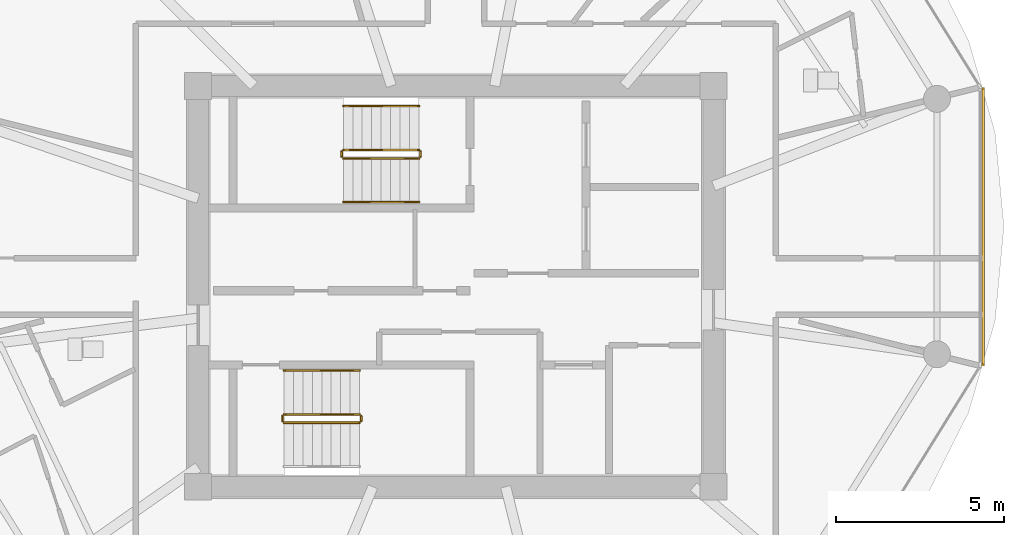
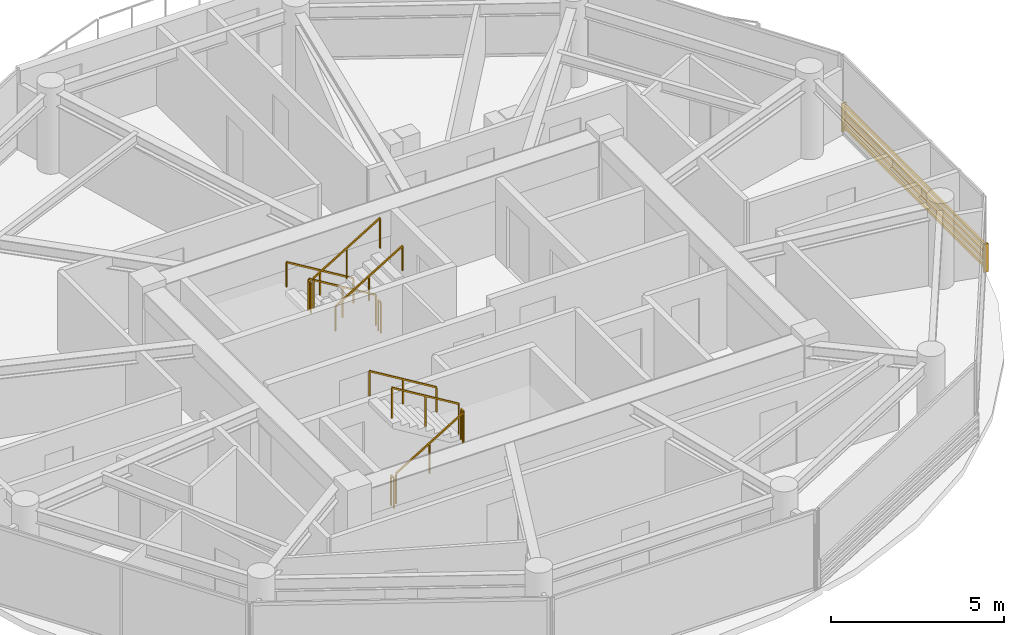
# One storey, part 21 of 23: 11 railings, 1 shading device.
"""IFC4 building model written with IfcOpenShell, lengths in metres."""

from ifc_helpers import new_model, si_unit, direction, frame, origin, origin_2d, place, context, subcontext, project, spatial, rectangle, extrude, source, transform, mapped, material, type_object, type_shapes, element, save


model = new_model("IFC4")

# Units and contexts
model_context = context("Model", 3, precision=1e-05, world=origin(), true_north=direction((0.0, 1.0)))
body_context = subcontext(model_context, "Body", "Model", "MODEL_VIEW")
ifc_project = project(units=[si_unit("LENGTHUNIT", "METRE"), si_unit("AREAUNIT", "SQUARE_METRE"), si_unit("VOLUMEUNIT", "CUBIC_METRE"), si_unit("PLANEANGLEUNIT", "RADIAN"), si_unit("MASSUNIT", "GRAM", prefix="KILO")], contexts=[model_context])

# Site, building, storey
site_placement = place(None, origin())
site = spatial("IfcSite", under=ifc_project, at=site_placement, CompositionType="ELEMENT")
building_placement = place(site_placement, origin())
building = spatial("IfcBuilding", under=site, at=building_placement, Name="Norrkilde Senior Care Towers", CompositionType="ELEMENT")
storey_placement = place(building_placement, frame((0.0, 0.0, 177.0)))
storey = spatial("IfcBuildingStorey", under=building, at=storey_placement, Name="L55", CompositionType="ELEMENT", Elevation=177.0)

# Railings
ifc_material_1 = material(Name="Stainless Steel", Category="steel")
railing_type_1 = type_object("IfcRailingType", Name="Stair and Terrace Guardrail 1100", PredefinedType="GUARDRAIL", material=ifc_material_1)
railing_1_placement = place(storey_placement, frame((26.89990234375, 4.050048828125, 0.16943359375)))
element("IfcRailing", 1, at=railing_1_placement, inside=storey, type_object=railing_type_1, Name="L55 ST-E1 stair guard 1", PredefinedType="GUARDRAIL", context=body_context, shape_type="SweptSolid", body=[
    extrude(rectangle(XDim=0.048095703125, YDim=0.048095703125, at=origin_2d()), frame((0.0, 0.0, 1.076171875), z_axis=(-0.855553338991, 0.0, 0.51771467445), x_axis=(0.0, -1.0, 0.0)), (0.0, 0.0, 1.0), 2.6181640625),
    extrude(rectangle(XDim=0.0419921875, YDim=0.0419921875, at=origin_2d()), origin(), (0.0, 0.0, 1.0), 1.050048828125),
    extrude(rectangle(XDim=0.0419921875, YDim=0.0419921875, at=origin_2d()), frame((-1.1201171875, 0.0, 0.677734375)), (0.0, 0.0, 1.0), 1.050048828125),
    extrude(rectangle(XDim=0.0419921875, YDim=0.0419921875, at=origin_2d()), frame((-2.239990234375, 0.0, 1.35546875)), (0.0, 0.0, 1.0), 1.050048828125),
])
railing_2_placement = place(storey_placement, frame((24.610107421875, 4.0, 1.52490234375)))
element("IfcRailing", 2, at=railing_2_placement, inside=storey, type_object=railing_type_1, Name="L55 ST-E1 stair guard 2", PredefinedType="GUARDRAIL", context=body_context, shape_type="SweptSolid", body=[
    extrude(rectangle(XDim=0.048095703125, YDim=0.048095703125, at=origin_2d()), frame((0.0, 0.0, 1.076171875), z_axis=(0.0, -1.0, 0.0), x_axis=(1.0, 0.0, 0.0)), (0.0, 0.0, 1.0), 0.14990234375),
    extrude(rectangle(XDim=0.0419921875, YDim=0.0419921875, at=origin_2d()), origin(), (0.0, 0.0, 1.0), 1.050048828125),
    extrude(rectangle(XDim=0.0419921875, YDim=0.0419921875, at=origin_2d()), frame((0.0, -0.14990234375, 0.0)), (0.0, 0.0, 1.0), 1.050048828125),
])
railing_3_placement = place(storey_placement, frame((24.659912109375, 3.800048828125, 1.6943359375)))
element("IfcRailing", 3, at=railing_3_placement, inside=storey, type_object=railing_type_1, Name="L55 ST-E1 stair guard 3", PredefinedType="GUARDRAIL", context=body_context, shape_type="SweptSolid", body=[
    extrude(rectangle(XDim=0.048095703125, YDim=0.048095703125, at=origin_2d()), frame((0.0, 0.0, 1.076171875), z_axis=(0.855512035549, 0.0, 0.517782924622), x_axis=(0.0, 1.0, 0.0)), (0.0, 0.0, 1.0), 2.618408203125),
    extrude(rectangle(XDim=0.0419921875, YDim=0.0419921875, at=origin_2d()), origin(), (0.0, 0.0, 1.0), 1.050048828125),
    extrude(rectangle(XDim=0.0419921875, YDim=0.0419921875, at=origin_2d()), frame((1.1201171875, 0.0, 0.677734375)), (0.0, 0.0, 1.0), 1.050048828125),
    extrude(rectangle(XDim=0.0419921875, YDim=0.0419921875, at=origin_2d()), frame((2.239990234375, 0.0, 1.355712890625)), (0.0, 0.0, 1.0), 1.050048828125),
])
railing_4_placement = place(storey_placement, frame((26.949951171875, 4.0, 0.0)))
element("IfcRailing", 4, at=railing_4_placement, inside=storey, type_object=railing_type_1, Name="L55 ST-E1 stair guard 4", PredefinedType="GUARDRAIL", context=body_context, shape_type="SweptSolid", body=[
    extrude(rectangle(XDim=0.048095703125, YDim=0.048095703125, at=origin_2d()), frame((0.0, 0.0, 1.076171875), z_axis=(0.0, -1.0, 0.0), x_axis=(1.0, 0.0, 0.0)), (0.0, 0.0, 1.0), 0.14990234375),
    extrude(rectangle(XDim=0.0419921875, YDim=0.0419921875, at=origin_2d()), origin(), (0.0, 0.0, 1.0), 1.050048828125),
    extrude(rectangle(XDim=0.0419921875, YDim=0.0419921875, at=origin_2d()), frame((0.0, -0.14990234375, 0.0)), (0.0, 0.0, 1.0), 1.050048828125),
])
railing_5_placement = place(storey_placement, frame((22.89990234375, -4.050048828125, 0.16943359375)))
element("IfcRailing", 5, at=railing_5_placement, inside=storey, type_object=railing_type_1, Name="L55 ST-E2 stair guard 1", PredefinedType="GUARDRAIL", context=body_context, shape_type="SweptSolid", body=[
    extrude(rectangle(XDim=0.048095703125, YDim=0.048095703125, at=origin_2d()), frame((0.0, 0.0, 1.076171875), z_axis=(0.855553338991, 0.0, 0.51771467445), x_axis=(0.0, 1.0, 0.0)), (0.0, 0.0, 1.0), 2.6181640625),
    extrude(rectangle(XDim=0.0419921875, YDim=0.0419921875, at=origin_2d()), origin(), (0.0, 0.0, 1.0), 1.050048828125),
    extrude(rectangle(XDim=0.0419921875, YDim=0.0419921875, at=origin_2d()), frame((1.1201171875, 0.0, 0.677734375)), (0.0, 0.0, 1.0), 1.050048828125),
    extrude(rectangle(XDim=0.0419921875, YDim=0.0419921875, at=origin_2d()), frame((2.239990234375, 0.0, 1.35546875)), (0.0, 0.0, 1.0), 1.050048828125),
])
railing_6_placement = place(storey_placement, frame((25.18994140625, -4.0, 1.52490234375)))
element("IfcRailing", 6, at=railing_6_placement, inside=storey, type_object=railing_type_1, Name="L55 ST-E2 stair guard 2", PredefinedType="GUARDRAIL", context=body_context, shape_type="SweptSolid", body=[
    extrude(rectangle(XDim=0.048095703125, YDim=0.048095703125, at=origin_2d()), frame((0.0, 0.0, 1.076171875), z_axis=(0.0, 1.0, 0.0), x_axis=(-1.0, 0.0, 0.0)), (0.0, 0.0, 1.0), 0.14990234375),
    extrude(rectangle(XDim=0.0419921875, YDim=0.0419921875, at=origin_2d()), origin(), (0.0, 0.0, 1.0), 1.050048828125),
    extrude(rectangle(XDim=0.0419921875, YDim=0.0419921875, at=origin_2d()), frame((0.0, 0.14990234375, 0.0)), (0.0, 0.0, 1.0), 1.050048828125),
])
railing_7_placement = place(storey_placement, frame((25.139892578125, -3.800048828125, 1.6943359375)))
element("IfcRailing", 7, at=railing_7_placement, inside=storey, type_object=railing_type_1, Name="L55 ST-E2 stair guard 3", PredefinedType="GUARDRAIL", context=body_context, shape_type="SweptSolid", body=[
    extrude(rectangle(XDim=0.048095703125, YDim=0.048095703125, at=origin_2d()), frame((0.0, 0.0, 1.076171875), z_axis=(-0.855512035549, 0.0, 0.517782924622), x_axis=(0.0, -1.0, 0.0)), (0.0, 0.0, 1.0), 2.618408203125),
    extrude(rectangle(XDim=0.0419921875, YDim=0.0419921875, at=origin_2d()), origin(), (0.0, 0.0, 1.0), 1.050048828125),
    extrude(rectangle(XDim=0.0419921875, YDim=0.0419921875, at=origin_2d()), frame((-1.1201171875, 0.0, 0.677734375)), (0.0, 0.0, 1.0), 1.050048828125),
    extrude(rectangle(XDim=0.0419921875, YDim=0.0419921875, at=origin_2d()), frame((-2.239990234375, 0.0, 1.355712890625)), (0.0, 0.0, 1.0), 1.050048828125),
])
railing_8_placement = place(storey_placement, frame((22.85009765625, -4.0, 0.0)))
element("IfcRailing", 8, at=railing_8_placement, inside=storey, type_object=railing_type_1, Name="L55 ST-E2 stair guard 4", PredefinedType="GUARDRAIL", context=body_context, shape_type="SweptSolid", body=[
    extrude(rectangle(XDim=0.048095703125, YDim=0.048095703125, at=origin_2d()), frame((0.0, 0.0, 1.076171875), z_axis=(0.0, 1.0, 0.0), x_axis=(-1.0, 0.0, 0.0)), (0.0, 0.0, 1.0), 0.14990234375),
    extrude(rectangle(XDim=0.0419921875, YDim=0.0419921875, at=origin_2d()), origin(), (0.0, 0.0, 1.0), 1.050048828125),
    extrude(rectangle(XDim=0.0419921875, YDim=0.0419921875, at=origin_2d()), frame((0.0, 0.14990234375, 0.0)), (0.0, 0.0, 1.0), 1.050048828125),
])
ifc_material_2 = material(Name="Nordic Ash Timber", Category="wood")
railing_type_2 = type_object("IfcRailingType", Name="Wall and Stair Handrail 900", PredefinedType="HANDRAIL", material=ifc_material_2)
railing_9_placement = place(storey_placement, frame((26.89990234375, 5.35009765625, 0.16943359375)))
element("IfcRailing", 9, at=railing_9_placement, inside=storey, type_object=railing_type_2, Name="L55 ST-E1 stair handrail 1", PredefinedType="HANDRAIL", context=body_context, shape_type="SweptSolid", body=[
    extrude(rectangle(XDim=0.048095703125, YDim=0.048095703125, at=origin_2d()), frame((0.0, 0.0, 0.8759765625), z_axis=(-0.855553338991, 0.0, 0.51771467445), x_axis=(0.0, -1.0, 0.0)), (0.0, 0.0, 1.0), 2.6181640625),
    extrude(rectangle(XDim=0.0419921875, YDim=0.0419921875, at=origin_2d()), origin(), (0.0, 0.0, 1.0), 0.849853515625),
    extrude(rectangle(XDim=0.0419921875, YDim=0.0419921875, at=origin_2d()), frame((-1.1201171875, 0.0, 0.677734375)), (0.0, 0.0, 1.0), 0.849853515625),
    extrude(rectangle(XDim=0.0419921875, YDim=0.0419921875, at=origin_2d()), frame((-2.239990234375, 0.0, 1.35546875)), (0.0, 0.0, 1.0), 0.849853515625),
])
railing_10_placement = place(storey_placement, frame((24.659912109375, 2.5, 1.6943359375)))
element("IfcRailing", 10, at=railing_10_placement, inside=storey, type_object=railing_type_2, Name="L55 ST-E1 stair handrail 2", PredefinedType="HANDRAIL", context=body_context, shape_type="SweptSolid", body=[
    extrude(rectangle(XDim=0.048095703125, YDim=0.048095703125, at=origin_2d()), frame((0.0, 0.0, 0.8759765625), z_axis=(0.855512035549, 0.0, 0.517782924622), x_axis=(0.0, 1.0, 0.0)), (0.0, 0.0, 1.0), 2.618408203125),
    extrude(rectangle(XDim=0.0419921875, YDim=0.0419921875, at=origin_2d()), origin(), (0.0, 0.0, 1.0), 0.849853515625),
    extrude(rectangle(XDim=0.0419921875, YDim=0.0419921875, at=origin_2d()), frame((1.1201171875, 0.0, 0.677734375)), (0.0, 0.0, 1.0), 0.849853515625),
    extrude(rectangle(XDim=0.0419921875, YDim=0.0419921875, at=origin_2d()), frame((2.239990234375, 0.0, 1.355712890625)), (0.0, 0.0, 1.0), 0.849853515625),
])
railing_11_placement = place(storey_placement, frame((25.139892578125, -2.5, 1.6943359375)))
element("IfcRailing", 11, at=railing_11_placement, inside=storey, type_object=railing_type_2, Name="L55 ST-E2 stair handrail 2", PredefinedType="HANDRAIL", context=body_context, shape_type="SweptSolid", body=[
    extrude(rectangle(XDim=0.048095703125, YDim=0.048095703125, at=origin_2d()), frame((0.0, 0.0, 0.8759765625), z_axis=(-0.855512035549, 0.0, 0.517782924622), x_axis=(0.0, -1.0, 0.0)), (0.0, 0.0, 1.0), 2.618408203125),
    extrude(rectangle(XDim=0.0419921875, YDim=0.0419921875, at=origin_2d()), origin(), (0.0, 0.0, 1.0), 0.849853515625),
    extrude(rectangle(XDim=0.0419921875, YDim=0.0419921875, at=origin_2d()), frame((-1.1201171875, 0.0, 0.677734375)), (0.0, 0.0, 1.0), 0.849853515625),
    extrude(rectangle(XDim=0.0419921875, YDim=0.0419921875, at=origin_2d()), frame((-2.239990234375, 0.0, 1.355712890625)), (0.0, 0.0, 1.0), 0.849853515625),
])

# Shading device
ifc_material_3 = material(Name="Architectural Terracotta", Category="masonry")
shading_device_type = type_object("IfcShadingDeviceType", Name="Horizontal Terracotta Baguette Rack", PredefinedType="USERDEFINED", material=ifc_material_3)
shared_shape = source(origin(), body_context, "Body", "SweptSolid", [
    extrude(rectangle(XDim=0.070068359375, YDim=0.110107421875, at=origin_2d()), frame((0.0, 0.090087890625, 0.125), z_axis=(1.0, 0.0, 0.0), x_axis=(0.0, 1.0, 0.0)), (0.0, 0.0, 1.0), 8.27197265625),
    extrude(rectangle(XDim=0.070068359375, YDim=0.110107421875, at=origin_2d()), frame((0.0, 0.090087890625, 0.375), z_axis=(1.0, 0.0, 0.0), x_axis=(0.0, 1.0, 0.0)), (0.0, 0.0, 1.0), 8.27197265625),
    extrude(rectangle(XDim=0.070068359375, YDim=0.110107421875, at=origin_2d()), frame((0.0, 0.090087890625, 0.625), z_axis=(1.0, 0.0, 0.0), x_axis=(0.0, 1.0, 0.0)), (0.0, 0.0, 1.0), 8.27197265625),
    extrude(rectangle(XDim=0.070068359375, YDim=0.110107421875, at=origin_2d()), frame((0.0, 0.090087890625, 0.875), z_axis=(1.0, 0.0, 0.0), x_axis=(0.0, 1.0, 0.0)), (0.0, 0.0, 1.0), 8.27197265625),
    extrude(rectangle(XDim=0.050048828125, YDim=0.1552734375, at=origin_2d()), frame((0.02490234375, 0.047607421875, 0.0)), (0.0, 0.0, 1.0), 1.0),
    extrude(rectangle(XDim=0.050048828125, YDim=0.1552734375, at=origin_2d()), frame((8.2470703125, 0.047607421875, 0.0)), (0.0, 0.0, 1.0), 1.0),
])
type_shapes(shading_device_type, [shared_shape])
shading_device_placement = place(storey_placement, frame((43.569580078125, 5.911376953125, 0.080078125), z_axis=(0.0, 0.0, 1.0), x_axis=(0.0, -1.0, 0.0)))
element("IfcShadingDevice", 12, at=shading_device_placement, inside=storey, type_object=shading_device_type, Name="L55 Drum E Terracotta Baguette Screen 11", ObjectType="BAGUETTE", PredefinedType="USERDEFINED", context=body_context, shape_type="MappedRepresentation", body=[
    mapped(shared_shape, transform((0.0, 0.0, 0.0), x_axis=(1.0, 0.0, 0.0), y_axis=(0.0, 1.0, 0.0), z_axis=(0.0, 0.0, 1.0), scale=1.0)),
])

save(model, "model.ifc")
